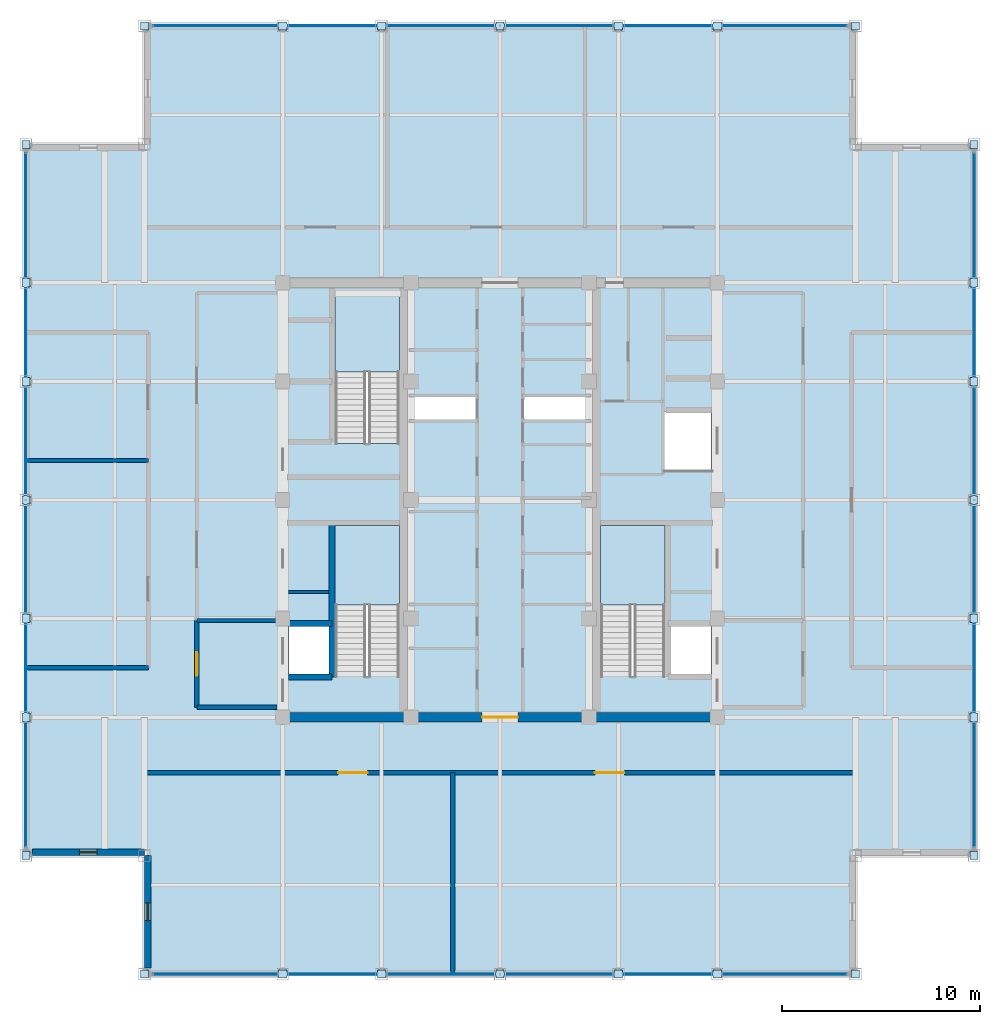
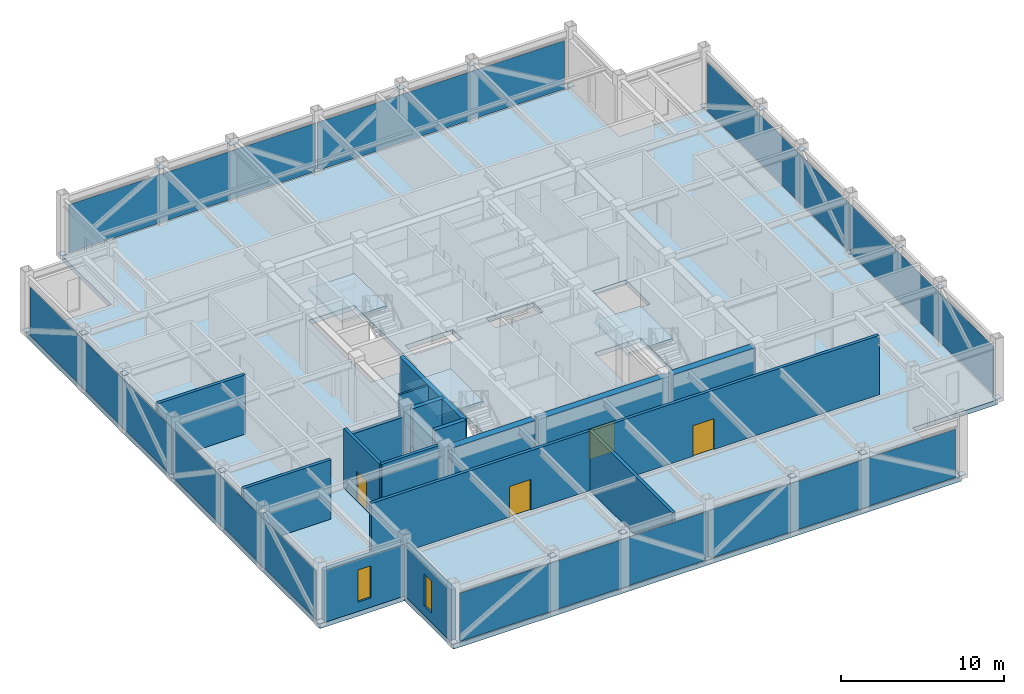
# One storey, part 23 of 27: 36 plates, 16 walls, 4 doors, 4 slabs, 2 windows, 6 openings, 7 elements without a shape of their own.
"""IFC4 building model written with IfcOpenShell, lengths in metres."""

import ifcopenshell
import ifcopenshell.guid

model = None  # the IFC model being written
_history = None  # IfcOwnerHistory: only IFC2X3 demands one
_inside = {}  # id of a spatial element -> (the spatial element, [elements in it])
_under = {}  # id of a project, library or spatial element -> (it, [spatial elements below it])
_declared = {}  # id of a project -> (the project, [libraries it declares])
_typed = {}  # id of a type object -> (the type object, [elements of that type])
_made_of = {}  # id of a material, layer set ... -> (it, [elements and type objects made of it])


def new_model(schema):
    """Start an empty IFC model of exactly this schema.

    Asked for "IFC4X3", IfcOpenShell would pick the latest addendum, in which some entities
    have other attributes; the version numbers below select the first issue.
    IFC2X3 requires an IfcOwnerHistory on every rooted entity: one is made here for all.
    """
    global model, _history
    if schema == "IFC4X3":
        model = ifcopenshell.file(schema_version=(4, 3, 0, 0))
    else:
        model = ifcopenshell.file(schema=schema)
    _inside.clear()
    _under.clear()
    _declared.clear()
    _typed.clear()
    _made_of.clear()
    _history = None
    if model.schema == "IFC2X3":
        org = make("IfcOrganization", Name="unknown")
        user = make(
            "IfcPersonAndOrganization",
            ThePerson=make("IfcPerson", FamilyName="unknown"),
            TheOrganization=org,
        )
        app = make(
            "IfcApplication",
            ApplicationDeveloper=org,
            Version="unknown",
            ApplicationFullName="unknown",
            ApplicationIdentifier="unknown",
        )
        _history = make(
            "IfcOwnerHistory",
            OwningUser=user,
            OwningApplication=app,
            ChangeAction="ADDED",
            CreationDate=0,
        )
    return model


def make(cls, **values):
    """One entity of the class cls with the attributes given. An attribute that is None is left unset."""
    return model.create_entity(
        cls, **{name: value for name, value in values.items() if value is not None}
    )


def rooted(cls, **values):
    """An entity with a GlobalId (a new one), such as an element, a storey or a relation."""
    return make(cls, GlobalId=ifcopenshell.guid.new(), OwnerHistory=_history, **values)


def si_unit(unit_type, name, prefix=None):
    """IfcSIUnit, for example si_unit("LENGTHUNIT", "METRE", prefix="MILLI")."""
    return make("IfcSIUnit", UnitType=unit_type, Prefix=prefix, Name=name)


def assignment(units):
    """IfcUnitAssignment: the units of a project."""
    return None if units is None else make("IfcUnitAssignment", Units=units)


def point(xyz):
    """IfcCartesianPoint."""
    return None if xyz is None else make("IfcCartesianPoint", Coordinates=xyz)


def direction(xyz):
    """IfcDirection."""
    return None if xyz is None else make("IfcDirection", DirectionRatios=xyz)


def frame(location, z_axis=None, x_axis=None):
    """IfcAxis2Placement3D, a coordinate frame: its origin and axes. An axis left out is left unset."""
    return make(
        "IfcAxis2Placement3D",
        Location=point(location),
        Axis=direction(z_axis),
        RefDirection=direction(x_axis),
    )


def frame_2d(location, x_axis=None):
    """IfcAxis2Placement2D, a coordinate frame in the plane: its origin and x axis."""
    return make(
        "IfcAxis2Placement2D", Location=point(location), RefDirection=direction(x_axis)
    )


def origin():
    """The frame at (0, 0, 0) with its axes left unset."""
    return frame((0.0, 0.0, 0.0))


def origin_2d():
    """The frame at (0, 0) in the plane with its x axis left unset."""
    return frame_2d((0.0, 0.0))


def place(relative_to, where):
    """IfcLocalPlacement: puts the frame where relative to a parent placement (None: the world)."""
    return make(
        "IfcLocalPlacement", PlacementRelTo=relative_to, RelativePlacement=where
    )


def context(
    kind, dimensions, precision=None, world=None, true_north=None, identifier=None
):
    """IfcGeometricRepresentationContext, for example the 3D "Model" context."""
    return make(
        "IfcGeometricRepresentationContext",
        ContextIdentifier=identifier,
        ContextType=kind,
        CoordinateSpaceDimension=dimensions,
        Precision=precision,
        WorldCoordinateSystem=world,
        TrueNorth=true_north,
    )


def subcontext(parent, identifier, kind, view, scale=None):
    """IfcGeometricRepresentationSubContext, for example "Body" below "Model"."""
    return make(
        "IfcGeometricRepresentationSubContext",
        ContextIdentifier=identifier,
        ContextType=kind,
        ParentContext=parent,
        TargetScale=scale,
        TargetView=view,
    )


def project(units=None, contexts=None):
    """IfcProject with its units and contexts."""
    return rooted(
        "IfcProject",
        Name="project",
        RepresentationContexts=contexts,
        UnitsInContext=assignment(units),
    )


def spatial(cls, under=None, at=None, **own):
    """A site, building, storey or space (cls), placed at a placement, below another one or the project."""
    s = rooted(cls, ObjectPlacement=at, **own)
    if under is not None:
        _under.setdefault(under.id(), (under, []))[1].append(s)
    return s


def polyline(points):
    """IfcPolyline through the points."""
    return make("IfcPolyline", Points=[point(p) for p in points])


def profile(cls, at=None, kind="AREA", **sizes):
    """A parametric profile (cls). Its sizes go by their IFC names, for example OverallWidth=200.0."""
    return make(cls, ProfileType=kind, Position=at, **sizes)


def rectangle(**sizes):
    """IfcRectangleProfileDef."""
    return profile("IfcRectangleProfileDef", **sizes)


def outline(outer, holes=None, kind="AREA"):
    """IfcArbitraryClosedProfileDef: a profile drawn as a closed curve; with holes, ...WithVoids."""
    if holes is None:
        return make("IfcArbitraryClosedProfileDef", ProfileType=kind, OuterCurve=outer)
    return make(
        "IfcArbitraryProfileDefWithVoids",
        ProfileType=kind,
        OuterCurve=outer,
        InnerCurves=holes,
    )


def extrude(swept, where, along, depth):
    """IfcExtrudedAreaSolid: the profile swept, set in the frame where, extruded along a direction by depth."""
    return make(
        "IfcExtrudedAreaSolid",
        SweptArea=swept,
        Position=where,
        ExtrudedDirection=direction(along),
        Depth=depth,
    )


def shape(context_of_items, identifier, shape_type, items):
    """IfcShapeRepresentation: the items that make up one representation, for example the "Body"."""
    return make(
        "IfcShapeRepresentation",
        ContextOfItems=context_of_items,
        RepresentationIdentifier=identifier,
        RepresentationType=shape_type,
        Items=items,
    )


def source(mapping_origin, context_of_items, identifier, shape_type, items):
    """IfcRepresentationMap: a shape defined once, which mapped items show again and again."""
    return make(
        "IfcRepresentationMap",
        MappingOrigin=mapping_origin,
        MappedRepresentation=shape(context_of_items, identifier, shape_type, items),
    )


def transform(
    local_origin,
    x_axis=None,
    y_axis=None,
    z_axis=None,
    scale=None,
    scale2=None,
    scale3=None,
    uniform=True,
):
    """IfcCartesianTransformationOperator3D, or its non-uniform kind. x_axis, y_axis, z_axis: its Axis1, 2, 3."""
    if uniform:
        return make(
            "IfcCartesianTransformationOperator3D",
            Axis1=direction(x_axis),
            Axis2=direction(y_axis),
            LocalOrigin=point(local_origin),
            Scale=scale,
            Axis3=direction(z_axis),
        )
    return make(
        "IfcCartesianTransformationOperator3DnonUniform",
        Axis1=direction(x_axis),
        Axis2=direction(y_axis),
        LocalOrigin=point(local_origin),
        Scale=scale,
        Axis3=direction(z_axis),
        Scale2=scale2,
        Scale3=scale3,
    )


def mapped(mapping_source, mapping_target):
    """IfcMappedItem: shows the shape of a source again, moved by a transform."""
    return make(
        "IfcMappedItem", MappingSource=mapping_source, MappingTarget=mapping_target
    )


def material(Name=None, Category=None):
    """IfcMaterial."""
    return make("IfcMaterial", Name=Name, Category=Category)


def layer(
    of_material, thickness, ventilated=None, Name=None, Category=None, Priority=None
):
    """IfcMaterialLayer: one layer of a wall or slab, of a material (None: an air gap)."""
    return make(
        "IfcMaterialLayer",
        Material=of_material,
        LayerThickness=thickness,
        IsVentilated=ventilated,
        Name=Name,
        Category=Category,
        Priority=Priority,
    )


def layer_set(layers, Name=None):
    """IfcMaterialLayerSet."""
    return make("IfcMaterialLayerSet", MaterialLayers=layers, LayerSetName=Name)


def made_of(thing, what):
    """Note that an element or type object is made of a material, layer set ...; save() writes the relation."""
    if what is not None:
        _made_of.setdefault(what.id(), (what, []))[1].append(thing)
    return thing


def type_object(cls, material=None, **own):
    """A type object (cls), such as IfcWallType, which elements share."""
    return made_of(rooted(cls, **own), material)


def element(
    cls,
    number,
    at=None,
    inside=None,
    cuts=None,
    type_object=None,
    material=None,
    context=None,
    identifier="Body",
    shape_type=None,
    held_by="IfcProductDefinitionShape",
    body=None,
    shapes=None,
    **own,
):
    """One element of the class cls, such as IfcWall. Its Tag is "e" and its number.

    at: its placement. inside: the storey or other place that contains it. cuts: it is an
    opening in that element (IfcRelVoidsElement). A single representation is given by context,
    identifier, shape_type and body (its items); several are given by shapes. held_by: the class
    of the entity that holds the representations. save() writes the other relations.
    """
    e = rooted(cls, Tag="e%d" % number, ObjectPlacement=at, **own)
    if body is not None:
        shapes = [shape(context, identifier, shape_type, body)]
    if shapes is not None:
        e.Representation = make(held_by, Representations=shapes)
    if inside is not None:
        _inside.setdefault(inside.id(), (inside, []))[1].append(e)
    if cuts is not None:
        rooted(
            "IfcRelVoidsElement", RelatingBuildingElement=cuts, RelatedOpeningElement=e
        )
    if type_object is not None:
        _typed.setdefault(type_object.id(), (type_object, []))[1].append(e)
    return made_of(e, material)


def fill(opening, filler):
    """IfcRelFillsElement: the door or window that sits in an opening."""
    return rooted(
        "IfcRelFillsElement",
        RelatingOpeningElement=opening,
        RelatedBuildingElement=filler,
    )


def aggregate(whole, parts):
    """IfcRelAggregates: a whole, such as a stair, and the parts it consists of."""
    return rooted("IfcRelAggregates", RelatingObject=whole, RelatedObjects=parts)


def save(model, path):
    """Write the relations noted so far, then the file.

    IfcRelAggregates (storeys below a building ...), IfcRelContainedInSpatialStructure (elements
    in a storey), IfcRelDefinesByType, IfcRelAssociatesMaterial and IfcRelDeclares: one each for
    every whole, place, type object, material and project.
    """
    for whole, parts in _under.values():
        aggregate(whole, parts)
    for where, things in _inside.values():
        rooted(
            "IfcRelContainedInSpatialStructure",
            RelatedElements=things,
            RelatingStructure=where,
        )
    for kind, things in _typed.values():
        rooted("IfcRelDefinesByType", RelatedObjects=things, RelatingType=kind)
    for what, things in _made_of.values():
        rooted("IfcRelAssociatesMaterial", RelatedObjects=things, RelatingMaterial=what)
    for by, libraries in _declared.values():
        rooted("IfcRelDeclares", RelatingContext=by, RelatedDefinitions=libraries)
    model.write(path)


model = new_model("IFC4")

# Units and contexts
model_context = context("Model", 3, precision=1e-05, world=origin(), true_north=direction((0.0, 1.0)))
body_context = subcontext(model_context, "Body", "Model", "MODEL_VIEW")
ifc_project = project(units=[si_unit("LENGTHUNIT", "METRE"), si_unit("AREAUNIT", "SQUARE_METRE"), si_unit("VOLUMEUNIT", "CUBIC_METRE"), si_unit("PLANEANGLEUNIT", "RADIAN"), si_unit("MASSUNIT", "GRAM", prefix="KILO")], contexts=[model_context])

# Site, building, storey
site_placement = place(None, origin())
site = spatial("IfcSite", under=ifc_project, at=site_placement, CompositionType="ELEMENT")
building_placement = place(site_placement, origin())
building = spatial("IfcBuilding", under=site, at=building_placement, Name="Khorayat Bourse Tower", CompositionType="ELEMENT")
storey_placement = place(building_placement, frame((0.0, 0.0, 385.10009765625)))
storey = spatial("IfcBuildingStorey", under=building, at=storey_placement, Name="L91", CompositionType="ELEMENT", Elevation=385.10009765625)

# Stair, slab
ifc_material_1 = material(Name="Concrete C40/50", Category="concrete")
stair_type = type_object("IfcStairType", Name="STR-CORE-1550", PredefinedType="HALF_TURN_STAIR", material=ifc_material_1)
stair_1_placement = place(storey_placement, origin())
stair_1 = element("IfcStair", 1, at=stair_1_placement, inside=storey, type_object=stair_type, Name="L91 Exit Stair ST-1", PredefinedType="HALF_TURN_STAIR")
ifc_layer_1 = layer(ifc_material_1, 0.199951171875)
ifc_layer_set_1 = layer_set([ifc_layer_1], Name="Concrete C40/50")
slab_type_1 = type_object("IfcSlabType", Name="SLB-LANDING-200", PredefinedType="LANDING", material=ifc_layer_set_1)
slab_1_placement = place(storey_placement, frame((0.0, 0.0, 2.199951171875)))
slab_1 = element("IfcSlab", 2, at=slab_1_placement, type_object=slab_type_1, Name="ST-1 landing 1", PredefinedType="LANDING", context=body_context, shape_type="SweptSolid", body=[
    extrude(outline(polyline([(-5.10009765625, -5.31005859375), (-5.10009765625, -1.300048828125), (-8.35009765625, -1.300048828125), (-8.35009765625, -5.31005859375), (-5.10009765625, -5.31005859375)])), origin(), (0.0, 0.0, 1.0), 0.199951171875),
])
aggregate(stair_1, [slab_1])

stair_2_placement = place(storey_placement, origin())
stair_2 = element("IfcStair", 3, at=stair_2_placement, inside=storey, type_object=stair_type, Name="L91 Exit Stair ST-2", PredefinedType="HALF_TURN_STAIR")
slab_2_placement = place(storey_placement, frame((0.0, 0.0, 2.199951171875)))
slab_2 = element("IfcSlab", 4, at=slab_2_placement, type_object=slab_type_1, Name="ST-2 landing 1", PredefinedType="LANDING", context=body_context, shape_type="SweptSolid", body=[
    extrude(outline(polyline([(-5.10009765625, 6.489990234375), (-5.10009765625, 10.5), (-8.35009765625, 10.5), (-8.35009765625, 6.489990234375), (-5.10009765625, 6.489990234375)])), origin(), (0.0, 0.0, 1.0), 0.199951171875),
])
aggregate(stair_2, [slab_2])

stair_3_placement = place(storey_placement, origin())
stair_3 = element("IfcStair", 5, at=stair_3_placement, inside=storey, type_object=stair_type, Name="L91 Exit Stair ST-3", PredefinedType="HALF_TURN_STAIR")
slab_3_placement = place(storey_placement, frame((0.0, 0.0, 2.199951171875)))
slab_3 = element("IfcSlab", 6, at=slab_3_placement, type_object=slab_type_1, Name="ST-3 landing 1", PredefinedType="LANDING", context=body_context, shape_type="SweptSolid", body=[
    extrude(outline(polyline([(8.35009765625, -5.31005859375), (8.35009765625, -1.300048828125), (5.10009765625, -1.300048828125), (5.10009765625, -5.31005859375), (8.35009765625, -5.31005859375)])), origin(), (0.0, 0.0, 1.0), 0.199951171875),
])
aggregate(stair_3, [slab_3])

# Slab
ifc_material_2 = material(Name="Concrete C50/60", Category="concrete")
ifc_layer_2 = layer(ifc_material_2, 0.35009765625)
ifc_layer_set_2 = layer_set([ifc_layer_2], Name="Concrete C50/60")
slab_type_2 = type_object("IfcSlabType", Name="SLB-PLANT-350", PredefinedType="FLOOR", material=ifc_layer_set_2)
slab_4_placement = place(storey_placement, frame((0.0, 0.0, -0.35009765625)))
element("IfcSlab", 7, at=slab_4_placement, inside=storey, type_object=slab_type_2, Name="L91 Main Floor Slab", PredefinedType="FLOOR", context=body_context, shape_type="SweptSolid", body=[
    extrude(outline(polyline([(-18.0, -24.0), (18.0, -24.0), (18.0, -18.0), (24.0, -18.0), (24.0, 18.0), (18.0, 18.0), (18.0, 24.0), (-18.0, 24.0), (-18.0, 18.0), (-24.0, 18.0), (-24.0, -18.0), (-18.0, -18.0), (-18.0, -24.0)]), holes=[polyline([(-8.35009765625, -8.945068359375), (-5.10009765625, -8.945068359375), (-5.10009765625, -1.300048828125), (-8.35009765625, -1.300048828125), (-8.35009765625, -8.945068359375)]), polyline([(-8.35009765625, 2.85498046875), (-5.10009765625, 2.85498046875), (-5.10009765625, 10.5), (-8.35009765625, 10.5), (-8.35009765625, 2.85498046875)]), polyline([(5.10009765625, -8.945068359375), (8.35009765625, -8.945068359375), (8.35009765625, -1.300048828125), (5.10009765625, -1.300048828125), (5.10009765625, -8.945068359375)]), polyline([(-10.679931640625, -8.929931640625), (-8.419921875, -8.929931640625), (-8.419921875, -6.3701171875), (-10.679931640625, -6.3701171875), (-10.679931640625, -8.929931640625)]), polyline([(8.419921875, -8.929931640625), (10.679931640625, -8.929931640625), (10.679931640625, -6.3701171875), (8.419921875, -6.3701171875), (8.419921875, -8.929931640625)]), polyline([(8.320068359375, 1.52001953125), (10.679931640625, 1.52001953125), (10.679931640625, 4.47998046875), (8.320068359375, 4.47998046875), (8.320068359375, 1.52001953125)]), polyline([(-4.56005859375, 4.080078125), (-1.18994140625, 4.080078125), (-1.18994140625, 5.219970703125), (-4.56005859375, 5.219970703125), (-4.56005859375, 4.080078125)]), polyline([(1.18994140625, 4.080078125), (4.56005859375, 4.080078125), (4.56005859375, 5.219970703125), (1.18994140625, 5.219970703125), (1.18994140625, 4.080078125)])]), origin(), (0.0, 0.0, 1.0), 0.35009765625),
])

# Plates
ifc_material_3 = material(Name="Steel EN 10025-2 S355J2", Category="steel")
ifc_layer_3 = layer(ifc_material_3, 0.02490234375)
ifc_layer_set_3 = layer_set([ifc_layer_3], Name="Steel EN 10025-2 S355J2")
plate_type_1 = type_object("IfcPlateType", Name="PLT-ENDCAP-25", PredefinedType="SHEET", material=ifc_layer_set_3)
shared_shape_1 = source(origin(), body_context, "Body", "SweptSolid", [
    extrude(rectangle(XDim=0.419921875, YDim=0.419921875, at=origin_2d()), origin(), (0.0, 0.0, 1.0), 0.02490234375),
])
for number, where, z_axis, x_axis, name in (
    (8, (-18.0, -24.0, 0.1875), (0.0, 0.0, 1.0), (1.0, 0.0, 0.0), "L91 Crown Frame Node Plate 001"),
    (9, (-11.0, -24.0, 4.237548828125), (0.0, 0.0, 1.0), (1.0, 0.0, 0.0), "L91 Crown Frame Node Plate 002"),
    (10, (-6.0, -24.0, 4.237548828125), (0.0, 0.0, 1.0), (1.0, 0.0, 0.0), "L91 Crown Frame Node Plate 003"),
    (11, (0.0, -24.0, 0.1875), (0.0, 0.0, 1.0), (1.0, 0.0, 0.0), "L91 Crown Frame Node Plate 004"),
    (12, (6.0, -24.0, 4.237548828125), (0.0, 0.0, 1.0), (1.0, 0.0, 0.0), "L91 Crown Frame Node Plate 005"),
    (13, (11.0, -24.0, 4.237548828125), (0.0, 0.0, 1.0), (1.0, 0.0, 0.0), "L91 Crown Frame Node Plate 006"),
    (14, (18.0, -24.0, 0.1875), (0.0, 0.0, 1.0), (1.0, 0.0, 0.0), "L91 Crown Frame Node Plate 007"),
    (15, (-18.0, 24.0, 0.1875), (0.0, 0.0, 1.0), (1.0, 0.0, 0.0), "L91 Crown Frame Node Plate 008"),
    (16, (-11.0, 24.0, 4.237548828125), (0.0, 0.0, 1.0), (1.0, 0.0, 0.0), "L91 Crown Frame Node Plate 009"),
    (17, (-6.0, 24.0, 4.237548828125), (0.0, 0.0, 1.0), (1.0, 0.0, 0.0), "L91 Crown Frame Node Plate 010"),
    (18, (0.0, 24.0, 0.1875), (0.0, 0.0, 1.0), (1.0, 0.0, 0.0), "L91 Crown Frame Node Plate 011"),
    (19, (6.0, 24.0, 4.237548828125), (0.0, 0.0, 1.0), (1.0, 0.0, 0.0), "L91 Crown Frame Node Plate 012"),
    (20, (11.0, 24.0, 4.237548828125), (0.0, 0.0, 1.0), (1.0, 0.0, 0.0), "L91 Crown Frame Node Plate 013"),
    (21, (18.0, 24.0, 0.1875), (0.0, 0.0, 1.0), (1.0, 0.0, 0.0), "L91 Crown Frame Node Plate 014"),
    (22, (-24.0, -18.0, 0.1875), (0.0, 0.0, 1.0), (1.0, 0.0, 0.0), "L91 Crown Frame Node Plate 015"),
    (23, (-24.0, -11.0, 4.237548828125), (0.0, 0.0, 1.0), (1.0, 0.0, 0.0), "L91 Crown Frame Node Plate 016"),
    (24, (-24.0, -6.0, 4.237548828125), (0.0, 0.0, 1.0), (1.0, 0.0, 0.0), "L91 Crown Frame Node Plate 017"),
    (25, (-24.0, 0.0, 0.1875), (0.0, 0.0, 1.0), (1.0, 0.0, 0.0), "L91 Crown Frame Node Plate 018"),
    (26, (-24.0, 6.0, 4.237548828125), (0.0, 0.0, 1.0), (1.0, 0.0, 0.0), "L91 Crown Frame Node Plate 019"),
    (27, (-24.0, 11.0, 4.237548828125), (0.0, 0.0, 1.0), (1.0, 0.0, 0.0), "L91 Crown Frame Node Plate 020"),
    (28, (-24.0, 18.0, 0.1875), (0.0, 0.0, 1.0), (1.0, 0.0, 0.0), "L91 Crown Frame Node Plate 021"),
    (29, (24.0, -18.0, 0.1875), (0.0, 0.0, 1.0), (1.0, 0.0, 0.0), "L91 Crown Frame Node Plate 022"),
    (30, (24.0, -11.0, 4.237548828125), (0.0, 0.0, 1.0), (1.0, 0.0, 0.0), "L91 Crown Frame Node Plate 023"),
    (31, (24.0, -6.0, 4.237548828125), (0.0, 0.0, 1.0), (1.0, 0.0, 0.0), "L91 Crown Frame Node Plate 024"),
    (32, (24.0, 0.0, 0.1875), (0.0, 0.0, 1.0), (1.0, 0.0, 0.0), "L91 Crown Frame Node Plate 025"),
    (33, (24.0, 6.0, 4.237548828125), (0.0, 0.0, 1.0), (1.0, 0.0, 0.0), "L91 Crown Frame Node Plate 026"),
    (34, (24.0, 11.0, 4.237548828125), (0.0, 0.0, 1.0), (1.0, 0.0, 0.0), "L91 Crown Frame Node Plate 027"),
    (35, (24.0, 18.0, 0.1875), (0.0, 0.0, 1.0), (1.0, 0.0, 0.0), "L91 Crown Frame Node Plate 028"),
):
    element("IfcPlate", number, at=place(storey_placement, frame(where, z_axis=z_axis, x_axis=x_axis)), inside=storey, type_object=plate_type_1, Name=name, PredefinedType="SHEET", context=body_context, shape_type="MappedRepresentation", body=[
        mapped(shared_shape_1, transform((0.0, 0.0, 0.0), scale=1.0)),
    ])

# Curtain wall, plates
ifc_material_4 = material(Name="Aluminium EN AW-6063 T6", Category="aluminium")
curtain_wall_type = type_object("IfcCurtainWallType", Name="CW-SYS-07", PredefinedType="NOTDEFINED", material=ifc_material_4)
curtain_wall_1_placement = place(storey_placement, origin())
curtain_wall_1 = element("IfcCurtainWall", 36, at=curtain_wall_1_placement, inside=storey, type_object=curtain_wall_type, Name="L91 Curtain Wall CW-L91-S1", PredefinedType="NOTDEFINED")
ifc_material_5 = material(Name="Backlit ceramic-fritted lantern glass", Category="glass")
ifc_layer_4 = layer(ifc_material_5, 0.048095703125)
ifc_layer_set_4 = layer_set([ifc_layer_4], Name="Backlit ceramic-fritted lantern glass")
plate_type_2 = type_object("IfcPlateType", Name="CWP-LANTERN-04", PredefinedType="CURTAIN_PANEL", material=ifc_layer_set_4)
shared_shape_2 = source(origin(), body_context, "Body", "SweptSolid", [
    extrude(rectangle(XDim=17.5, YDim=0.048095703125, at=origin_2d()), origin(), (0.0, 0.0, 1.0), 3.6201171875),
])
plate_1_placement = place(storey_placement, frame((-8.800048828125, -24.0, 0.08984375), z_axis=(0.0, 0.0, 1.0), x_axis=(1.0, 0.0, 0.0)))
plate_1 = element("IfcPlate", 37, at=plate_1_placement, type_object=plate_type_2, Name="CW-L91-S1 Vision Panel 1-1", PredefinedType="CURTAIN_PANEL", context=body_context, shape_type="MappedRepresentation", body=[
    mapped(shared_shape_2, transform((0.0, 0.0, 0.0), scale=1.0)),
])
plate_2_placement = place(storey_placement, frame((8.800048828125, -24.0, 0.08984375), z_axis=(0.0, 0.0, 1.0), x_axis=(1.0, 0.0, 0.0)))
plate_2 = element("IfcPlate", 38, at=plate_2_placement, type_object=plate_type_2, Name="CW-L91-S1 Vision Panel 2-1", PredefinedType="CURTAIN_PANEL", context=body_context, shape_type="MappedRepresentation", body=[
    mapped(shared_shape_2, transform((0.0, 0.0, 0.0), scale=1.0)),
])
aggregate(curtain_wall_1, [plate_1, plate_2])

curtain_wall_2_placement = place(storey_placement, origin())
curtain_wall_2 = element("IfcCurtainWall", 39, at=curtain_wall_2_placement, inside=storey, type_object=curtain_wall_type, Name="L91 Curtain Wall CW-L91-N1", PredefinedType="NOTDEFINED")
plate_3_placement = place(storey_placement, frame((-8.800048828125, 24.0, 0.08984375), z_axis=(0.0, 0.0, 1.0), x_axis=(1.0, 0.0, 0.0)))
plate_3 = element("IfcPlate", 40, at=plate_3_placement, type_object=plate_type_2, Name="CW-L91-N1 Vision Panel 1-1", PredefinedType="CURTAIN_PANEL", context=body_context, shape_type="MappedRepresentation", body=[
    mapped(shared_shape_2, transform((0.0, 0.0, 0.0), scale=1.0)),
])
plate_4_placement = place(storey_placement, frame((8.800048828125, 24.0, 0.08984375), z_axis=(0.0, 0.0, 1.0), x_axis=(1.0, 0.0, 0.0)))
plate_4 = element("IfcPlate", 41, at=plate_4_placement, type_object=plate_type_2, Name="CW-L91-N1 Vision Panel 2-1", PredefinedType="CURTAIN_PANEL", context=body_context, shape_type="MappedRepresentation", body=[
    mapped(shared_shape_2, transform((0.0, 0.0, 0.0), scale=1.0)),
])
aggregate(curtain_wall_2, [plate_3, plate_4])

curtain_wall_3_placement = place(storey_placement, origin())
curtain_wall_3 = element("IfcCurtainWall", 42, at=curtain_wall_3_placement, inside=storey, type_object=curtain_wall_type, Name="L91 Curtain Wall CW-L91-W1", PredefinedType="NOTDEFINED")
plate_5_placement = place(storey_placement, frame((-24.0, -8.800048828125, 0.08984375), z_axis=(0.0, 0.0, 1.0), x_axis=(0.0, 1.0, 0.0)))
plate_5 = element("IfcPlate", 43, at=plate_5_placement, type_object=plate_type_2, Name="CW-L91-W1 Vision Panel 1-1", PredefinedType="CURTAIN_PANEL", context=body_context, shape_type="MappedRepresentation", body=[
    mapped(shared_shape_2, transform((0.0, 0.0, 0.0), scale=1.0)),
])
plate_6_placement = place(storey_placement, frame((-24.0, 8.800048828125, 0.08984375), z_axis=(0.0, 0.0, 1.0), x_axis=(0.0, 1.0, 0.0)))
plate_6 = element("IfcPlate", 44, at=plate_6_placement, type_object=plate_type_2, Name="CW-L91-W1 Vision Panel 2-1", PredefinedType="CURTAIN_PANEL", context=body_context, shape_type="MappedRepresentation", body=[
    mapped(shared_shape_2, transform((0.0, 0.0, 0.0), scale=1.0)),
])
aggregate(curtain_wall_3, [plate_5, plate_6])

curtain_wall_4_placement = place(storey_placement, origin())
curtain_wall_4 = element("IfcCurtainWall", 45, at=curtain_wall_4_placement, inside=storey, type_object=curtain_wall_type, Name="L91 Curtain Wall CW-L91-E1", PredefinedType="NOTDEFINED")
plate_7_placement = place(storey_placement, frame((24.0, -8.800048828125, 0.08984375), z_axis=(0.0, 0.0, 1.0), x_axis=(0.0, 1.0, 0.0)))
plate_7 = element("IfcPlate", 46, at=plate_7_placement, type_object=plate_type_2, Name="CW-L91-E1 Vision Panel 1-1", PredefinedType="CURTAIN_PANEL", context=body_context, shape_type="MappedRepresentation", body=[
    mapped(shared_shape_2, transform((0.0, 0.0, 0.0), scale=1.0)),
])
plate_8_placement = place(storey_placement, frame((24.0, 8.800048828125, 0.08984375), z_axis=(0.0, 0.0, 1.0), x_axis=(0.0, 1.0, 0.0)))
plate_8 = element("IfcPlate", 47, at=plate_8_placement, type_object=plate_type_2, Name="CW-L91-E1 Vision Panel 2-1", PredefinedType="CURTAIN_PANEL", context=body_context, shape_type="MappedRepresentation", body=[
    mapped(shared_shape_2, transform((0.0, 0.0, 0.0), scale=1.0)),
])
aggregate(curtain_wall_4, [plate_7, plate_8])

# Walls
ifc_material_6 = material(Name="Concrete C52/65", Category="concrete")
ifc_layer_5 = layer(ifc_material_6, 0.5)
ifc_layer_set_5 = layer_set([ifc_layer_5], Name="Concrete C52/65")
wall_type_1 = type_object("IfcWallType", Name="WAL-CORE-500", PredefinedType="SHEAR", material=ifc_layer_set_5)
shared_shape_3 = source(origin(), body_context, "Body", "SweptSolid", [
    extrude(rectangle(XDim=5.89990234375, YDim=0.5, at=frame_2d((2.949951171875, 0.0))), origin(), (0.0, 0.0, 1.0), 4.449951171875),
])
for number, where, z_axis, x_axis, name in (
    (48, (-10.75, -11.0, 0.0), (0.0, 0.0, 1.0), (1.0, 0.0, 0.0), "L91 Core Shear Wall PIER-WS"),
    (49, (4.85009765625, -11.0, 0.0), (0.0, 0.0, 1.0), (1.0, 0.0, 0.0), "L91 Core Shear Wall PIER-ES"),
):
    element("IfcWall", number, at=place(storey_placement, frame(where, z_axis=z_axis, x_axis=x_axis)), inside=storey, type_object=wall_type_1, Name=name, PredefinedType="SHEAR", context=body_context, shape_type="MappedRepresentation", body=[
        mapped(shared_shape_3, transform((0.0, 0.0, 0.0), scale=1.0)),
    ])

# Wall, opening, door
shared_shape_4 = source(origin(), body_context, "Body", "SweptSolid", [
    extrude(rectangle(XDim=9.2001953125, YDim=0.5, at=frame_2d((4.60009765625, 0.0))), origin(), (0.0, 0.0, 1.0), 4.449951171875),
])
wall_1_placement = place(storey_placement, frame((-4.60009765625, -11.0, 0.0), z_axis=(0.0, 0.0, 1.0), x_axis=(1.0, 0.0, 0.0)))
wall_1 = element("IfcWall", 50, at=wall_1_placement, inside=storey, type_object=wall_type_1, Name="L91 Core Shear Wall CORE-S", PredefinedType="SHEAR", context=body_context, shape_type="MappedRepresentation", body=[
    mapped(shared_shape_4, transform((0.0, 0.0, 0.0), scale=1.0)),
])
shared_shape_5 = source(origin(), body_context, "Body", "SweptSolid", [
    extrude(rectangle(XDim=1.800048828125, YDim=2.25, at=frame_2d((0.89990234375, 1.125))), frame((0.0, 0.260009765625, 0.0), z_axis=(0.0, -1.0, 0.0), x_axis=(1.0, 0.0, 0.0)), (0.0, 0.0, 1.0), 0.52001953125),
])
opening_1_placement = place(wall_1_placement, frame((3.699951171875, 0.0, 0.0)))
opening_1 = element("IfcOpeningElement", 51, at=opening_1_placement, cuts=wall_1, Name="Opening DI-03", PredefinedType="OPENING", context=body_context, shape_type="MappedRepresentation", body=[
    mapped(shared_shape_5, transform((0.0, 0.0, 0.0), scale=1.0)),
])
ifc_material_7 = material(Name="Fire-rated hardwood vision-panel double leaf", Category="wood")
door_type_1 = type_object("IfcDoorType", Name="DR-INT-CORR-1800", OperationType="NOTDEFINED", PredefinedType="DOOR", material=ifc_material_7)
shared_shape_6 = source(origin(), body_context, "Body", "SweptSolid", [
    extrude(rectangle(XDim=1.800048828125, YDim=2.25, at=frame_2d((0.89990234375, 1.125))), frame((0.0, 0.02490234375, 0.0), z_axis=(0.0, -1.0, 0.0), x_axis=(1.0, 0.0, 0.0)), (0.0, 0.0, 1.0), 0.050048828125),
])
door_1_placement = place(opening_1_placement, origin())
door_1 = element("IfcDoor", 52, at=door_1_placement, inside=storey, type_object=door_type_1, Name="L91 Central Core South Passage Door", OperationType="SINGLE_SWING_LEFT", OverallHeight=2.25, OverallWidth=1.800048828125, PredefinedType="DOOR", context=body_context, shape_type="MappedRepresentation", body=[
    mapped(shared_shape_6, transform((0.0, 0.0, 0.0), scale=1.0)),
])
fill(opening_1, door_1)

# Wall, opening, window
ifc_material_8 = material(Name="Precast concrete C45/55", Category="concrete")
ifc_layer_6 = layer(ifc_material_8, 0.320068359375)
ifc_layer_set_6 = layer_set([ifc_layer_6], Name="Precast concrete C45/55")
wall_type_2 = type_object("IfcWallType", Name="WAL-EXT-STONE-320", PredefinedType="STANDARD", material=ifc_layer_set_6)
shared_shape_7 = source(origin(), body_context, "Body", "SweptSolid", [
    extrude(rectangle(XDim=5.679931640625, YDim=0.320068359375, at=frame_2d((2.83984375, 0.0))), origin(), (0.0, 0.0, 1.0), 3.90087890625),
])
wall_2_placement = place(storey_placement, frame((-18.0, -17.840087890625, 0.0), z_axis=(0.0, 0.0, 1.0), x_axis=(-1.0, 0.0, 0.0)))
wall_2 = element("IfcWall", 53, at=wall_2_placement, inside=storey, type_object=wall_type_2, Name="L91 Re-Entrant Notch Limestone Wall SW-H", PredefinedType="STANDARD", context=body_context, shape_type="MappedRepresentation", body=[
    mapped(shared_shape_7, transform((0.0, 0.0, 0.0), scale=1.0)),
])
shared_shape_8 = source(origin(), body_context, "Body", "SweptSolid", [
    extrude(rectangle(XDim=0.89990234375, YDim=2.39990234375, at=frame_2d((0.449951171875, 1.199951171875))), frame((0.0, 0.169921875, 0.0), z_axis=(0.0, -1.0, 0.0), x_axis=(1.0, 0.0, 0.0)), (0.0, 0.0, 1.0), 0.340087890625),
])
opening_2_placement = place(wall_2_placement, frame((2.389892578125, 0.0, 0.699951171875)))
opening_2 = element("IfcOpeningElement", 54, at=opening_2_placement, cuts=wall_2, Name="Opening WN-03", PredefinedType="OPENING", context=body_context, shape_type="MappedRepresentation", body=[
    mapped(shared_shape_8, transform((0.0, 0.0, 0.0), scale=1.0)),
])
ifc_material_9 = material(Name="Deep-reveal solar-control double glazing", Category="glass")
window_type = type_object("IfcWindowType", Name="WIN-SLOT-900x2400", PartitioningType="SINGLE_PANEL", PredefinedType="WINDOW", material=ifc_material_9)
shared_shape_9 = source(origin(), body_context, "Body", "SweptSolid", [
    extrude(rectangle(XDim=0.89990234375, YDim=2.39990234375, at=frame_2d((0.449951171875, 1.199951171875))), frame((0.0, 0.030029296875, 0.0), z_axis=(0.0, -1.0, 0.0), x_axis=(1.0, 0.0, 0.0)), (0.0, 0.0, 1.0), 0.06005859375),
])
window_1_placement = place(opening_2_placement, origin())
window_1 = element("IfcWindow", 55, at=window_1_placement, inside=storey, type_object=window_type, Name="L91 Facade Window 1", OverallHeight=2.39990234375, OverallWidth=0.89990234375, PartitioningType="SINGLE_PANEL", PredefinedType="WINDOW", context=body_context, shape_type="MappedRepresentation", body=[
    mapped(shared_shape_9, transform((0.0, 0.0, 0.0), scale=1.0)),
])
fill(opening_2, window_1)

wall_3_placement = place(storey_placement, frame((-17.840087890625, -23.679931640625, 0.0), z_axis=(0.0, 0.0, 1.0), x_axis=(0.0, 1.0, 0.0)))
wall_3 = element("IfcWall", 56, at=wall_3_placement, inside=storey, type_object=wall_type_2, Name="L91 Re-Entrant Notch Limestone Wall SW-V", PredefinedType="STANDARD", context=body_context, shape_type="MappedRepresentation", body=[
    mapped(shared_shape_7, transform((0.0, 0.0, 0.0), scale=1.0)),
])
opening_3_placement = place(wall_3_placement, frame((2.389892578125, 0.0, 0.699951171875)))
opening_3 = element("IfcOpeningElement", 57, at=opening_3_placement, cuts=wall_3, Name="Opening WN-03", PredefinedType="OPENING", context=body_context, shape_type="MappedRepresentation", body=[
    mapped(shared_shape_8, transform((0.0, 0.0, 0.0), scale=1.0)),
])
window_2_placement = place(opening_3_placement, origin())
window_2 = element("IfcWindow", 58, at=window_2_placement, inside=storey, type_object=window_type, Name="L91 Facade Window 1", OverallHeight=2.39990234375, OverallWidth=0.89990234375, PartitioningType="SINGLE_PANEL", PredefinedType="WINDOW", context=body_context, shape_type="MappedRepresentation", body=[
    mapped(shared_shape_9, transform((0.0, 0.0, 0.0), scale=1.0)),
])
fill(opening_3, window_2)

# Walls
ifc_layer_7 = layer(ifc_material_2, 0.300048828125)
ifc_layer_set_7 = layer_set([ifc_layer_7], Name="Concrete C50/60")
wall_type_3 = type_object("IfcWallType", Name="WAL-SHAFT-300", PredefinedType="SHEAR", material=ifc_layer_set_7)
shared_shape_10 = source(origin(), body_context, "Body", "SweptSolid", [
    extrude(rectangle(XDim=7.800048828125, YDim=0.300048828125, at=frame_2d((3.89990234375, 0.0))), origin(), (0.0, 0.0, 1.0), 4.449951171875),
])
wall_4_placement = place(storey_placement, frame((-8.5, -8.949951171875, 0.0), z_axis=(0.0, 0.0, 1.0), x_axis=(0.0, 1.0, 0.0)))
element("IfcWall", 59, at=wall_4_placement, inside=storey, type_object=wall_type_3, Name="L91 Partition WAL-L91-WPIER-SP", PredefinedType="SHEAR", context=body_context, shape_type="MappedRepresentation", body=[
    mapped(shared_shape_10, transform((0.0, 0.0, 0.0), scale=1.0)),
])
shared_shape_11 = source(origin(), body_context, "Body", "SweptSolid", [
    extrude(rectangle(XDim=2.199951171875, YDim=0.300048828125, at=frame_2d((1.10009765625, 0.0))), origin(), (0.0, 0.0, 1.0), 4.449951171875),
])
for number, where, z_axis, x_axis, name in (
    (60, (-10.699951171875, -8.949951171875, 0.0), (0.0, 0.0, 1.0), (1.0, 0.0, 0.0), "L91 Partition WAL-L91-WPIER-FF1S"),
    (61, (-10.699951171875, -6.25, 0.0), (0.0, 0.0, 1.0), (1.0, 0.0, 0.0), "L91 Partition WAL-L91-WPIER-FF1N"),
):
    element("IfcWall", number, at=place(storey_placement, frame(where, z_axis=z_axis, x_axis=x_axis)), inside=storey, type_object=wall_type_3, Name=name, PredefinedType="SHEAR", context=body_context, shape_type="MappedRepresentation", body=[
        mapped(shared_shape_11, transform((0.0, 0.0, 0.0), scale=1.0)),
    ])
ifc_material_10 = material(Name="Gypsum plasterboard twin-frame partition")
ifc_layer_8 = layer(ifc_material_10, 0.14990234375)
ifc_layer_set_8 = layer_set([ifc_layer_8], Name="Gypsum plasterboard twin-frame partition")
wall_type_4 = type_object("IfcWallType", Name="WAL-PART-SUITE-150", PredefinedType="PARTITIONING", material=ifc_layer_set_8)
shared_shape_12 = source(origin(), body_context, "Body", "SweptSolid", [
    extrude(rectangle(XDim=2.050048828125, YDim=0.14990234375, at=frame_2d((1.02490234375, 0.0))), origin(), (0.0, 0.0, 1.0), 4.449951171875),
])
wall_5_placement = place(storey_placement, frame((-10.699951171875, -4.64990234375, 0.0), z_axis=(0.0, 0.0, 1.0), x_axis=(1.0, 0.0, 0.0)))
element("IfcWall", 62, at=wall_5_placement, inside=storey, type_object=wall_type_4, Name="L91 Partition WAL-L91-WSRV-S0", PredefinedType="PARTITIONING", context=body_context, shape_type="MappedRepresentation", body=[
    mapped(shared_shape_12, transform((0.0, 0.0, 0.0), scale=1.0)),
])
ifc_material_11 = material(Name="Aerated concrete blockwork", Category="masonry")
ifc_layer_9 = layer(ifc_material_11, 0.219970703125)
ifc_layer_set_9 = layer_set([ifc_layer_9], Name="Aerated concrete blockwork")
wall_type_5 = type_object("IfcWallType", Name="WAL-PART-FF-220", PredefinedType="PARTITIONING", material=ifc_layer_set_9)
shared_shape_13 = source(origin(), body_context, "Body", "SweptSolid", [
    extrude(rectangle(XDim=4.050048828125, YDim=0.219970703125, at=frame_2d((2.02490234375, 0.0))), origin(), (0.0, 0.0, 1.0), 4.449951171875),
])
wall_6_placement = place(storey_placement, frame((-15.35009765625, -10.5, 0.0), z_axis=(0.0, 0.0, 1.0), x_axis=(1.0, 0.0, 0.0)))
element("IfcWall", 63, at=wall_6_placement, inside=storey, type_object=wall_type_5, Name="L91 Partition WAL-L91-FFLW-S", PredefinedType="PARTITIONING", context=body_context, shape_type="MappedRepresentation", body=[
    mapped(shared_shape_13, transform((0.0, 0.0, 0.0), scale=1.0)),
])
shared_shape_14 = source(origin(), body_context, "Body", "SweptSolid", [
    extrude(rectangle(XDim=4.050048828125, YDim=0.219970703125, at=frame_2d((2.02490234375, 0.0))), origin(), (0.0, 0.0, 1.0), 3.90087890625),
])
wall_7_placement = place(storey_placement, frame((-15.35009765625, -6.10009765625, 0.0), z_axis=(0.0, 0.0, 1.0), x_axis=(1.0, 0.0, 0.0)))
element("IfcWall", 64, at=wall_7_placement, inside=storey, type_object=wall_type_5, Name="L91 Partition WAL-L91-FFLW-N", PredefinedType="PARTITIONING", context=body_context, shape_type="MappedRepresentation", body=[
    mapped(shared_shape_14, transform((0.0, 0.0, 0.0), scale=1.0)),
])

# Wall, opening, door
shared_shape_15 = source(origin(), body_context, "Body", "SweptSolid", [
    extrude(rectangle(XDim=4.39990234375, YDim=0.219970703125, at=frame_2d((2.199951171875, 0.0))), origin(), (0.0, 0.0, 1.0), 4.449951171875),
])
wall_8_placement = place(storey_placement, frame((-15.35009765625, -10.5, 0.0), z_axis=(0.0, 0.0, 1.0), x_axis=(0.0, 1.0, 0.0)))
wall_8 = element("IfcWall", 65, at=wall_8_placement, inside=storey, type_object=wall_type_5, Name="L91 Partition WAL-L91-FFLW-W", PredefinedType="PARTITIONING", context=body_context, shape_type="MappedRepresentation", body=[
    mapped(shared_shape_15, transform((0.0, 0.0, 0.0), scale=1.0)),
])
shared_shape_16 = source(origin(), body_context, "Body", "SweptSolid", [
    extrude(rectangle(XDim=1.199951171875, YDim=2.199951171875, at=frame_2d((0.60009765625, 1.10009765625))), frame((0.0, 0.119873046875, 0.0), z_axis=(0.0, -1.0, 0.0), x_axis=(1.0, 0.0, 0.0)), (0.0, 0.0, 1.0), 0.239990234375),
])
opening_4_placement = place(wall_8_placement, frame((1.60009765625, 0.0, 0.0)))
opening_4 = element("IfcOpeningElement", 66, at=opening_4_placement, cuts=wall_8, Name="Opening DI-02", PredefinedType="OPENING", context=body_context, shape_type="MappedRepresentation", body=[
    mapped(shared_shape_16, transform((0.0, 0.0, 0.0), scale=1.0)),
])
ifc_material_12 = material(Name="Fire-rated steel double-seal leaf", Category="steel")
door_type_2 = type_object("IfcDoorType", Name="DR-INT-FFLOBBY-1200", OperationType="NOTDEFINED", PredefinedType="DOOR", material=ifc_material_12)
shared_shape_17 = source(origin(), body_context, "Body", "SweptSolid", [
    extrude(rectangle(XDim=1.199951171875, YDim=2.199951171875, at=frame_2d((0.60009765625, 1.10009765625))), frame((0.0, 0.02490234375, 0.0), z_axis=(0.0, -1.0, 0.0), x_axis=(1.0, 0.0, 0.0)), (0.0, 0.0, 1.0), 0.050048828125),
])
door_2_placement = place(opening_4_placement, origin())
door_2 = element("IfcDoor", 67, at=door_2_placement, inside=storey, type_object=door_type_2, Name="L91 West Firefighting Lobby Door", OperationType="SINGLE_SWING_LEFT", OverallHeight=2.199951171875, OverallWidth=1.199951171875, PredefinedType="DOOR", context=body_context, shape_type="MappedRepresentation", body=[
    mapped(shared_shape_17, transform((0.0, 0.0, 0.0), scale=1.0)),
])
fill(opening_4, door_2)

# Walls
shared_shape_18 = source(origin(), body_context, "Body", "SweptSolid", [
    extrude(rectangle(XDim=10.199951171875, YDim=0.219970703125, at=frame_2d((5.10009765625, 0.0))), origin(), (0.0, 0.0, 1.0), 4.449951171875),
])
wall_9_placement = place(storey_placement, frame((-2.39990234375, -24.0, 0.0), z_axis=(0.0, 0.0, 1.0), x_axis=(0.0, 1.0, 0.0)))
element("IfcWall", 68, at=wall_9_placement, inside=storey, type_object=wall_type_5, Name="L91 Partition WAL-L91-PLS-DIV", PredefinedType="PARTITIONING", context=body_context, shape_type="MappedRepresentation", body=[
    mapped(shared_shape_18, transform((0.0, 0.0, 0.0), scale=1.0)),
])
shared_shape_19 = source(origin(), body_context, "Body", "SweptSolid", [
    extrude(rectangle(XDim=6.199951171875, YDim=0.219970703125, at=frame_2d((3.10009765625, 0.0))), origin(), (0.0, 0.0, 1.0), 4.449951171875),
])
for number, where, z_axis, x_axis, name in (
    (69, (-24.0, 2.0, 0.0), (0.0, 0.0, 1.0), (1.0, 0.0, 0.0), "L91 Partition WAL-L91-CRNW-D"),
    (70, (-24.0, -8.5, 0.0), (0.0, 0.0, 1.0), (1.0, 0.0, 0.0), "L91 Partition WAL-L91-PLW-S"),
):
    element("IfcWall", number, at=place(storey_placement, frame(where, z_axis=z_axis, x_axis=x_axis)), inside=storey, type_object=wall_type_5, Name=name, PredefinedType="PARTITIONING", context=body_context, shape_type="MappedRepresentation", body=[
        mapped(shared_shape_19, transform((0.0, 0.0, 0.0), scale=1.0)),
    ])

# Wall, openings, doors
shared_shape_20 = source(origin(), body_context, "Body", "SweptSolid", [
    extrude(rectangle(XDim=36.0, YDim=0.219970703125, at=frame_2d((18.0, 0.0))), origin(), (0.0, 0.0, 1.0), 4.449951171875),
])
wall_10_placement = place(storey_placement, frame((-18.0, -13.800048828125, 0.0), z_axis=(0.0, 0.0, 1.0), x_axis=(1.0, 0.0, 0.0)))
wall_10 = element("IfcWall", 71, at=wall_10_placement, inside=storey, type_object=wall_type_5, Name="L91 Partition WAL-L91-PLS-N", PredefinedType="PARTITIONING", context=body_context, shape_type="MappedRepresentation", body=[
    mapped(shared_shape_20, transform((0.0, 0.0, 0.0), scale=1.0)),
])
shared_shape_21 = source(origin(), body_context, "Body", "SweptSolid", [
    extrude(rectangle(XDim=1.5, YDim=2.300048828125, at=frame_2d((0.75, 1.14990234375))), frame((0.0, 0.119873046875, 0.0), z_axis=(0.0, -1.0, 0.0), x_axis=(1.0, 0.0, 0.0)), (0.0, 0.0, 1.0), 0.239990234375),
])
opening_5_placement = place(wall_10_placement, frame((9.800048828125, 0.0, 0.0)))
opening_5 = element("IfcOpeningElement", 72, at=opening_5_placement, cuts=wall_10, Name="Opening DI-07", PredefinedType="OPENING", context=body_context, shape_type="MappedRepresentation", body=[
    mapped(shared_shape_21, transform((0.0, 0.0, 0.0), scale=1.0)),
])
opening_6_placement = place(wall_10_placement, frame((22.800048828125, 0.0, 0.0)))
opening_6 = element("IfcOpeningElement", 73, at=opening_6_placement, cuts=wall_10, Name="Opening DI-07", PredefinedType="OPENING", context=body_context, shape_type="MappedRepresentation", body=[
    mapped(shared_shape_21, transform((0.0, 0.0, 0.0), scale=1.0)),
])
ifc_material_13 = material(Name="Louvred fire-rated steel plant double door", Category="steel")
door_type_3 = type_object("IfcDoorType", Name="DR-INT-PLANT-1500", OperationType="NOTDEFINED", PredefinedType="DOOR", material=ifc_material_13)
shared_shape_22 = source(origin(), body_context, "Body", "SweptSolid", [
    extrude(rectangle(XDim=1.5, YDim=2.300048828125, at=frame_2d((0.75, 1.14990234375))), frame((0.0, 0.02490234375, 0.0), z_axis=(0.0, -1.0, 0.0), x_axis=(1.0, 0.0, 0.0)), (0.0, 0.0, 1.0), 0.050048828125),
])
door_3_placement = place(opening_5_placement, origin())
door_3 = element("IfcDoor", 74, at=door_3_placement, inside=storey, type_object=door_type_3, Name="L91 Chiller Plant Door", OperationType="SINGLE_SWING_LEFT", OverallHeight=2.300048828125, OverallWidth=1.5, PredefinedType="DOOR", context=body_context, shape_type="MappedRepresentation", body=[
    mapped(shared_shape_22, transform((0.0, 0.0, 0.0), scale=1.0)),
])
fill(opening_5, door_3)
door_4_placement = place(opening_6_placement, origin())
door_4 = element("IfcDoor", 75, at=door_4_placement, inside=storey, type_object=door_type_3, Name="L91 Pump Plant Door", OperationType="SINGLE_SWING_RIGHT", OverallHeight=2.300048828125, OverallWidth=1.5, PredefinedType="DOOR", context=body_context, shape_type="MappedRepresentation", body=[
    mapped(shared_shape_22, transform((0.0, 0.0, 0.0), scale=1.0)),
])
fill(opening_6, door_4)

save(model, "model.ifc")
